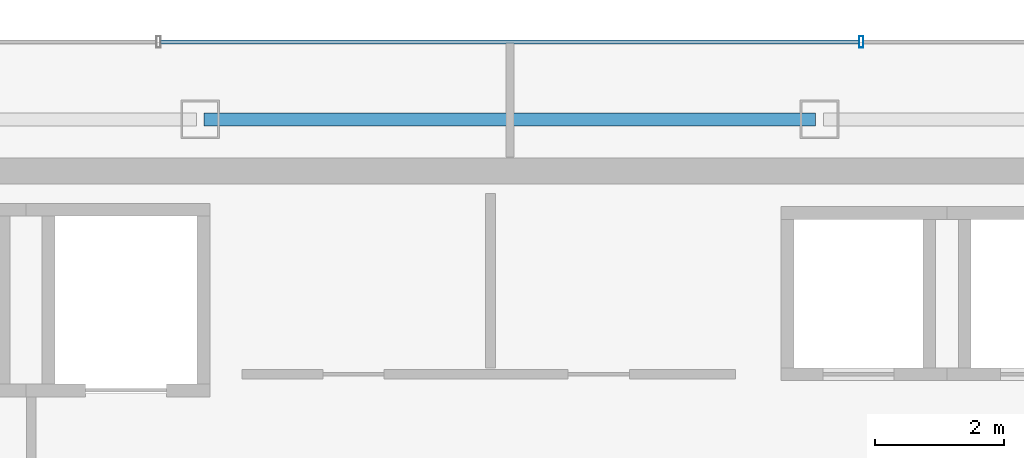
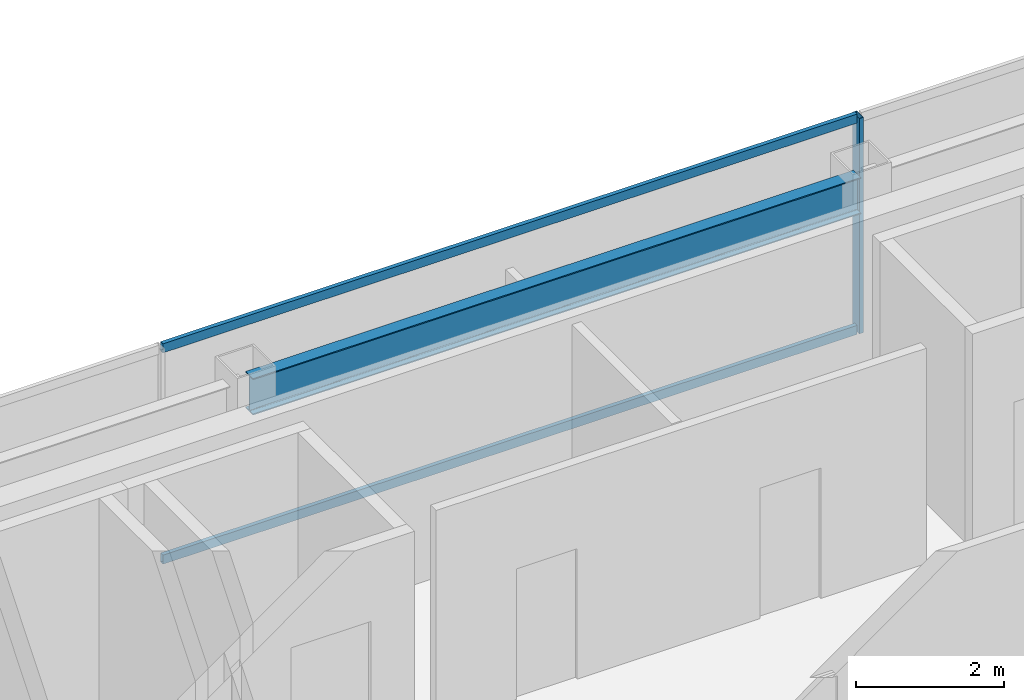
# One storey, part 11 of 24: 3 members, 1 beam, 1 element without a shape of its own.
"""IFC4 building model written with IfcOpenShell, lengths in metres."""

from ifc_helpers import new_model, si_unit, direction, frame, origin, origin_2d, place, context, subcontext, project, spatial, hollow_rectangle, i_section, extrude, material, material_profile, profile_set, type_object, element, aggregate, save


model = new_model("IFC4")

# Units and contexts
model_context = context("Model", 3, precision=1e-05, world=origin(), true_north=direction((0.0, 1.0)))
body_context = subcontext(model_context, "Body", "Model", "MODEL_VIEW")
ifc_project = project(units=[si_unit("LENGTHUNIT", "METRE"), si_unit("AREAUNIT", "SQUARE_METRE"), si_unit("VOLUMEUNIT", "CUBIC_METRE"), si_unit("PLANEANGLEUNIT", "RADIAN"), si_unit("MASSUNIT", "GRAM", prefix="KILO")], contexts=[model_context])

# Site, building, storey
site_placement = place(None, origin())
site = spatial("IfcSite", under=ifc_project, at=site_placement, CompositionType="ELEMENT")
building_placement = place(site_placement, origin())
building = spatial("IfcBuilding", under=site, at=building_placement, Name="Saevonmaru Cultural Tower", CompositionType="ELEMENT")
storey_placement = place(building_placement, frame((0.0, 0.0, 306.60009765625)))
storey = spatial("IfcBuildingStorey", under=building, at=storey_placement, Name="L73", CompositionType="ELEMENT", Elevation=306.60009765625)

# Beam
ifc_material_1 = material(Name="Steel SM355", Category="steel")
ifc_material_profile_1 = material_profile(ifc_material_1, i_section(OverallWidth=0.199951171875, OverallDepth=0.60009765625, WebThickness=0.010986328125, FlangeThickness=0.01708984375, FilletRadius=0.02197265625, at=origin_2d()), Name="H-600x200x11x17")
ifc_profile_set_1 = profile_set([ifc_material_profile_1], Name="Steel SM355")
beam_type = type_object("IfcBeamType", Name="BM-SP-H600", PredefinedType="SPANDREL", material=ifc_profile_set_1)
beam_placement = place(storey_placement, frame((25.260009765625, 54.800048828125, 3.25), z_axis=(1.0, 0.0, 0.0), x_axis=(0.0, 1.0, 0.0)))
element("IfcBeam", 1, at=beam_placement, inside=storey, type_object=beam_type, Name="L73 North Spine Girder 3", PredefinedType="SPANDREL", context=body_context, shape_type="SweptSolid", body=[
    extrude(i_section(OverallWidth=0.199951171875, OverallDepth=0.60009765625, WebThickness=0.010986328125, FlangeThickness=0.01708984375, FilletRadius=0.02197265625, at=origin_2d()), origin(), (0.0, 0.0, 1.0), 9.47998046875),
])

# Curtain wall, members
ifc_material_2 = material(Name="Satin Bronze Anodised Aluminium", Category="aluminium")
curtain_wall_type = type_object("IfcCurtainWallType", Name="CW-TYP-B", PredefinedType="NOTDEFINED", material=ifc_material_2)
curtain_wall_placement = place(storey_placement, origin())
curtain_wall = element("IfcCurtainWall", 2, at=curtain_wall_placement, inside=storey, type_object=curtain_wall_type, Name="L73 North Spine Unitised Curtain Wall E10B", PredefinedType="NOTDEFINED")
ifc_material_profile_2 = material_profile(ifc_material_2, hollow_rectangle(XDim=0.06494140625, YDim=0.179931640625, WallThickness=0.00390625, at=origin_2d()), Name="ALU-MULL-180x65x4")
ifc_profile_set_2 = profile_set([ifc_material_profile_2], Name="Satin Bronze Anodised Aluminium")
member_type_1 = type_object("IfcMemberType", Name="ML-CW-180x65", PredefinedType="MULLION", material=ifc_profile_set_2)
member_1_placement = place(storey_placement, frame((35.44677734375, 56.0, 0.0), z_axis=(0.0, 0.0, 1.0), x_axis=(-1.0, 0.0, 0.0)))
member_1 = element("IfcMember", 3, at=member_1_placement, type_object=member_type_1, Name="CW-TW-L73-E10B mullion 2", PredefinedType="MULLION", context=body_context, shape_type="SweptSolid", body=[
    extrude(hollow_rectangle(XDim=0.06494140625, YDim=0.179931640625, WallThickness=0.00390625, at=origin_2d()), origin(), (0.0, 0.0, 1.0), 3.5498046875),
])
ifc_material_profile_3 = material_profile(ifc_material_2, hollow_rectangle(XDim=0.06494140625, YDim=0.14990234375, WallThickness=0.00390625, at=origin_2d()), Name="ALU-TRAN-150x65x4")
ifc_profile_set_3 = profile_set([ifc_material_profile_3], Name="Satin Bronze Anodised Aluminium")
member_type_2 = type_object("IfcMemberType", Name="TR-CW-150x65", PredefinedType="USERDEFINED", material=ifc_profile_set_3)
member_2_placement = place(storey_placement, frame((35.4140625, 56.0, 0.032470703125), z_axis=(-1.0, 0.0, 0.0), x_axis=(0.0, -1.0, 0.0)))
member_2 = element("IfcMember", 4, at=member_2_placement, type_object=member_type_2, Name="CW-TW-L73-E10B transom 2.1", ObjectType="TRANSOM", PredefinedType="USERDEFINED", context=body_context, shape_type="SweptSolid", body=[
    extrude(hollow_rectangle(XDim=0.06494140625, YDim=0.14990234375, WallThickness=0.00390625, at=origin_2d()), origin(), (0.0, 0.0, 1.0), 10.828125),
])
member_3_placement = place(storey_placement, frame((35.4140625, 56.0, 3.517333984375), z_axis=(-1.0, 0.0, 0.0), x_axis=(0.0, -1.0, 0.0)))
member_3 = element("IfcMember", 5, at=member_3_placement, type_object=member_type_2, Name="CW-TW-L73-E10B transom 2.2", ObjectType="TRANSOM", PredefinedType="USERDEFINED", context=body_context, shape_type="SweptSolid", body=[
    extrude(hollow_rectangle(XDim=0.06494140625, YDim=0.14990234375, WallThickness=0.00390625, at=origin_2d()), origin(), (0.0, 0.0, 1.0), 10.828125),
])
aggregate(curtain_wall, [member_1, member_2, member_3])

save(model, "model.ifc")
